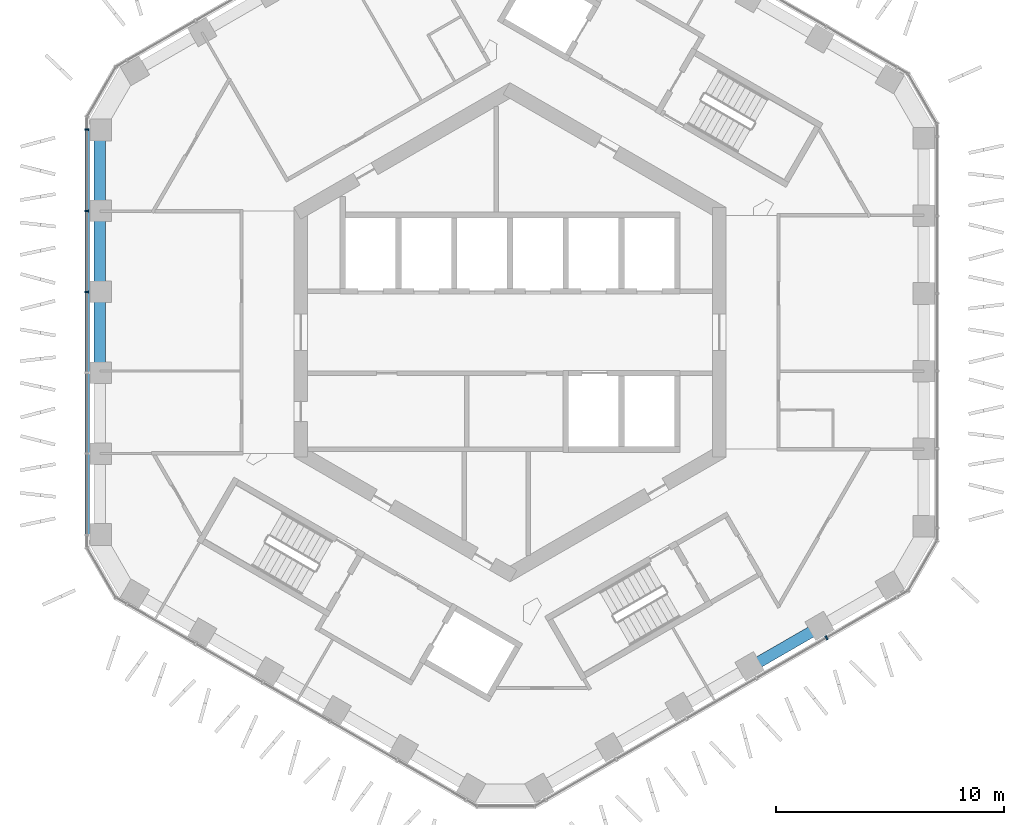
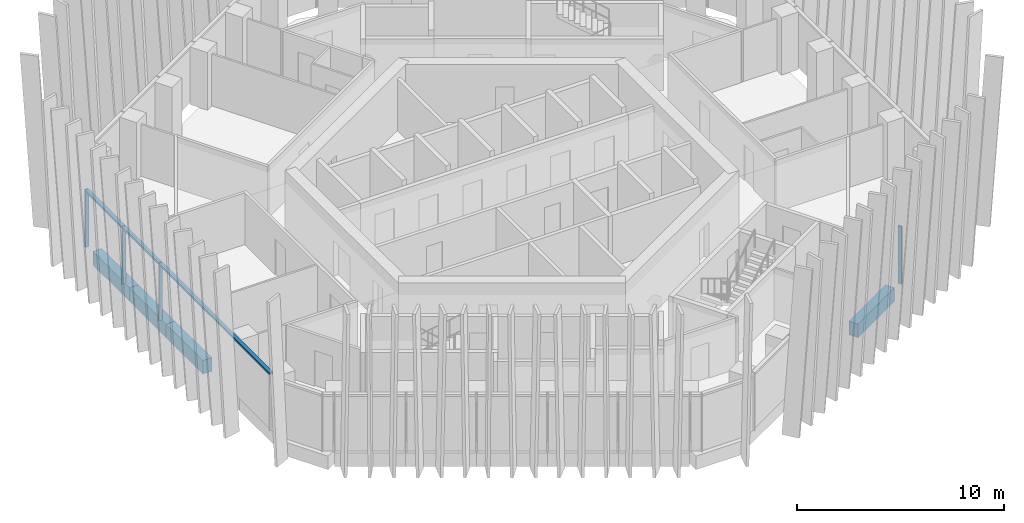
# One storey, part 4 of 20: 5 members, 4 beams, 2 elements without a shape of their own.
"""IFC4 building model written with IfcOpenShell, lengths in metres."""

from ifc_helpers import new_model, si_unit, direction, frame, origin, origin_2d, place, context, subcontext, project, spatial, rectangle, extrude, material, layer, layer_set, material_profile, profile_set, type_object, element, aggregate, save


model = new_model("IFC4")

# Units and contexts
model_context = context("Model", 3, precision=1e-05, world=origin(), true_north=direction((0.0, 1.0)))
body_context = subcontext(model_context, "Body", "Model", "MODEL_VIEW")
ifc_project = project(units=[si_unit("LENGTHUNIT", "METRE"), si_unit("AREAUNIT", "SQUARE_METRE"), si_unit("VOLUMEUNIT", "CUBIC_METRE"), si_unit("PLANEANGLEUNIT", "RADIAN"), si_unit("MASSUNIT", "GRAM", prefix="KILO")], contexts=[model_context])

# Site, building, storey
site_placement = place(None, origin())
site = spatial("IfcSite", under=ifc_project, at=site_placement, CompositionType="ELEMENT")
building_placement = place(site_placement, origin())
building = spatial("IfcBuilding", under=site, at=building_placement, Name="Ayvan Gate Tower", CompositionType="ELEMENT")
storey_placement = place(building_placement, frame((0.0, 0.0, 162.89990234375)))
storey = spatial("IfcBuildingStorey", under=building, at=storey_placement, Name="L43", CompositionType="ELEMENT", Elevation=162.89990234375)

# Beams
ifc_material_1 = material(Name="Concrete C40/50", Category="concrete")
ifc_material_profile_1 = material_profile(ifc_material_1, rectangle(XDim=0.5, YDim=0.800048828125, at=origin_2d()), Name="RC 500x800")
ifc_profile_set_1 = profile_set([ifc_material_profile_1], Name="Concrete C40/50")
beam_type = type_object("IfcBeamType", Name="Spandrel beam RC 500x800 C40/50", PredefinedType="BEAM", material=ifc_profile_set_1)
beam_1_placement = place(storey_placement, frame((-18.021484375, 8.86328125, -0.75), z_axis=(0.0, -1.0, 0.0), x_axis=(1.0, 0.0, 0.0)))
element("IfcBeam", 1, at=beam_1_placement, inside=storey, type_object=beam_type, Name="SB-L43-19", PredefinedType="BEAM", context=body_context, shape_type="SweptSolid", body=[
    extrude(rectangle(XDim=0.5, YDim=0.800048828125, at=origin_2d()), origin(), (0.0, 0.0, 1.0), 3.54541015625),
])
beam_2_placement = place(storey_placement, frame((-18.021484375, 5.31787109375, -0.75), z_axis=(0.0, -1.0, 0.0), x_axis=(1.0, 0.0, 0.0)))
element("IfcBeam", 2, at=beam_2_placement, inside=storey, type_object=beam_type, Name="SB-L43-20", PredefinedType="BEAM", context=body_context, shape_type="SweptSolid", body=[
    extrude(rectangle(XDim=0.5, YDim=0.800048828125, at=origin_2d()), origin(), (0.0, 0.0, 1.0), 3.545166015625),
])
for number, where, z_axis, x_axis, name in (
    (3, (-18.021484375, 1.772705078125, -0.75), (0.0, -1.0, 0.0), (1.0, 0.0, 0.0), "SB-L43-21"),
    (4, (10.5458984375, -14.720947265625, -0.75), (0.866018157372, 0.500012550944, 0.0), (-0.500012550944, 0.866018157372, 0.0), "SB-L43-34"),
):
    element("IfcBeam", number, at=place(storey_placement, frame(where, z_axis=z_axis, x_axis=x_axis)), inside=storey, type_object=beam_type, Name=name, PredefinedType="BEAM", context=body_context, shape_type="SweptSolid", body=[
        extrude(rectangle(XDim=0.5, YDim=0.800048828125, at=origin_2d()), origin(), (0.0, 0.0, 1.0), 3.54541015625),
    ])

# Curtain wall, members
ifc_material_2 = material(Name="Bronze anodised aluminium", Category="aluminium")
ifc_layer = layer(ifc_material_2, 0.199951171875)
ifc_layer_set = layer_set([ifc_layer], Name="Bronze anodised aluminium")
curtain_wall_type = type_object("IfcCurtainWallType", Name="Stick curtain wall CW-2", PredefinedType="NOTDEFINED", material=ifc_layer_set)
curtain_wall_1_placement = place(storey_placement, origin())
curtain_wall_1 = element("IfcCurtainWall", 5, at=curtain_wall_1_placement, inside=storey, type_object=curtain_wall_type, Name="Stick curtain wall CW-2 L43", PredefinedType="NOTDEFINED")
ifc_material_profile_2 = material_profile(ifc_material_2, rectangle(XDim=0.199951171875, YDim=0.070068359375, at=origin_2d()), Name="Stick curtain wall CW-2 mullion 200 x 70")
ifc_profile_set_2 = profile_set([ifc_material_profile_2], Name="Bronze anodised aluminium")
member_type_1 = type_object("IfcMemberType", Name="Stick curtain wall CW-2 mullion 200 x 70", PredefinedType="MULLION", material=ifc_profile_set_2)
member_1_placement = place(storey_placement, frame((-18.58349609375, 8.911376953125, 0.0), z_axis=(0.0, 0.0, 1.0), x_axis=(-1.0, 0.0, 0.0)))
member_1 = element("IfcMember", 6, at=member_1_placement, type_object=member_type_1, Name="CW-2 mullion 1", PredefinedType="MULLION", context=body_context, shape_type="SweptSolid", body=[
    extrude(rectangle(XDim=0.199951171875, YDim=0.070068359375, at=origin_2d()), origin(), (0.0, 0.0, 1.0), 3.400146484375),
])
member_2_placement = place(storey_placement, frame((-18.58349609375, 5.33251953125, 0.0), z_axis=(0.0, 0.0, 1.0), x_axis=(-1.0, 0.0, 0.0)))
member_2 = element("IfcMember", 7, at=member_2_placement, type_object=member_type_1, Name="CW-2 mullion 2", PredefinedType="MULLION", context=body_context, shape_type="SweptSolid", body=[
    extrude(rectangle(XDim=0.199951171875, YDim=0.070068359375, at=origin_2d()), origin(), (0.0, 0.0, 1.0), 3.400146484375),
])
member_3_placement = place(storey_placement, frame((-18.58349609375, 1.77734375, 0.0), z_axis=(0.0, 0.0, 1.0), x_axis=(-1.0, 0.0, 0.0)))
member_3 = element("IfcMember", 8, at=member_3_placement, type_object=member_type_1, Name="CW-2 mullion 3", PredefinedType="MULLION", context=body_context, shape_type="SweptSolid", body=[
    extrude(rectangle(XDim=0.199951171875, YDim=0.070068359375, at=origin_2d()), origin(), (0.0, 0.0, 1.0), 3.400146484375),
])

# Curtain wall, member
curtain_wall_2_placement = place(storey_placement, origin())
curtain_wall_2 = element("IfcCurtainWall", 9, at=curtain_wall_2_placement, inside=storey, type_object=curtain_wall_type, Name="Stick curtain wall CW-2 L43", PredefinedType="NOTDEFINED")
member_4_placement = place(storey_placement, frame((13.909912109375, -13.427490234375, 0.0), z_axis=(0.0, 0.0, 1.0), x_axis=(0.5, -0.866025403784, 0.0)))
member_4 = element("IfcMember", 10, at=member_4_placement, type_object=member_type_1, Name="CW-2 mullion 5", PredefinedType="MULLION", context=body_context, shape_type="SweptSolid", body=[
    extrude(rectangle(XDim=0.199951171875, YDim=0.070068359375, at=origin_2d()), origin(), (0.0, 0.0, 1.0), 3.400146484375),
])
aggregate(curtain_wall_2, [member_4])

# Member
ifc_material_profile_3 = material_profile(ifc_material_2, rectangle(XDim=0.199951171875, YDim=0.1201171875, at=origin_2d()), Name="Stick curtain wall CW-2 transom 200 x 120")
ifc_profile_set_3 = profile_set([ifc_material_profile_3], Name="Bronze anodised aluminium")
member_type_2 = type_object("IfcMemberType", Name="Stick curtain wall CW-2 transom 200 x 120", PredefinedType="USERDEFINED", material=ifc_profile_set_3)
member_5_placement = place(storey_placement, frame((-18.58349609375, 8.911376953125, 3.340087890625), z_axis=(0.0, -1.0, 0.0), x_axis=(1.0, 0.0, 0.0)))
member_5 = element("IfcMember", 11, at=member_5_placement, type_object=member_type_2, Name="CW-2 transom 1", ObjectType="TRANSOM", PredefinedType="USERDEFINED", context=body_context, shape_type="SweptSolid", body=[
    extrude(rectangle(XDim=0.199951171875, YDim=0.1201171875, at=origin_2d()), origin(), (0.0, 0.0, 1.0), 17.82275390625),
])

aggregate(curtain_wall_1, [member_1, member_2, member_3, member_5])

save(model, "model.ifc")
